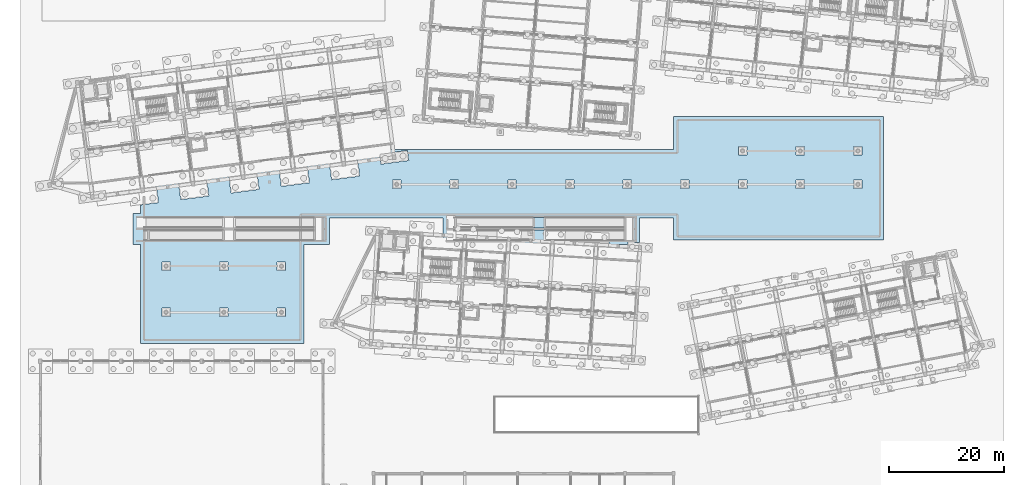
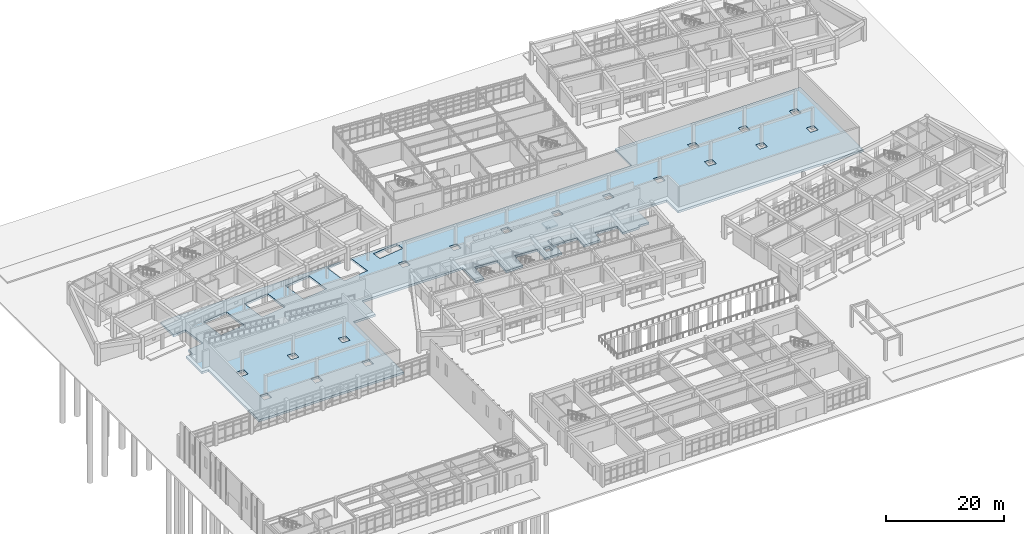
# One storey, part 109 of 154: 3 slabs, 2 elements without a shape of their own.
"""IFC4 building model written with IfcOpenShell, lengths in metres."""

import ifcopenshell
import ifcopenshell.guid

model = None  # the IFC model being written
_history = None  # IfcOwnerHistory: only IFC2X3 demands one
_inside = {}  # id of a spatial element -> (the spatial element, [elements in it])
_under = {}  # id of a project, library or spatial element -> (it, [spatial elements below it])
_declared = {}  # id of a project -> (the project, [libraries it declares])
_typed = {}  # id of a type object -> (the type object, [elements of that type])
_made_of = {}  # id of a material, layer set ... -> (it, [elements and type objects made of it])


def new_model(schema):
    """Start an empty IFC model of exactly this schema.

    Asked for "IFC4X3", IfcOpenShell would pick the latest addendum, in which some entities
    have other attributes; the version numbers below select the first issue.
    IFC2X3 requires an IfcOwnerHistory on every rooted entity: one is made here for all.
    """
    global model, _history
    if schema == "IFC4X3":
        model = ifcopenshell.file(schema_version=(4, 3, 0, 0))
    else:
        model = ifcopenshell.file(schema=schema)
    _inside.clear()
    _under.clear()
    _declared.clear()
    _typed.clear()
    _made_of.clear()
    _history = None
    if model.schema == "IFC2X3":
        org = make("IfcOrganization", Name="unknown")
        user = make(
            "IfcPersonAndOrganization",
            ThePerson=make("IfcPerson", FamilyName="unknown"),
            TheOrganization=org,
        )
        app = make(
            "IfcApplication",
            ApplicationDeveloper=org,
            Version="unknown",
            ApplicationFullName="unknown",
            ApplicationIdentifier="unknown",
        )
        _history = make(
            "IfcOwnerHistory",
            OwningUser=user,
            OwningApplication=app,
            ChangeAction="ADDED",
            CreationDate=0,
        )
    return model


def make(cls, **values):
    """One entity of the class cls with the attributes given. An attribute that is None is left unset."""
    return model.create_entity(
        cls, **{name: value for name, value in values.items() if value is not None}
    )


def rooted(cls, **values):
    """An entity with a GlobalId (a new one), such as an element, a storey or a relation."""
    return make(cls, GlobalId=ifcopenshell.guid.new(), OwnerHistory=_history, **values)


def si_unit(unit_type, name, prefix=None):
    """IfcSIUnit, for example si_unit("LENGTHUNIT", "METRE", prefix="MILLI")."""
    return make("IfcSIUnit", UnitType=unit_type, Prefix=prefix, Name=name)


def assignment(units):
    """IfcUnitAssignment: the units of a project."""
    return None if units is None else make("IfcUnitAssignment", Units=units)


def point(xyz):
    """IfcCartesianPoint."""
    return None if xyz is None else make("IfcCartesianPoint", Coordinates=xyz)


def direction(xyz):
    """IfcDirection."""
    return None if xyz is None else make("IfcDirection", DirectionRatios=xyz)


def frame(location, z_axis=None, x_axis=None):
    """IfcAxis2Placement3D, a coordinate frame: its origin and axes. An axis left out is left unset."""
    return make(
        "IfcAxis2Placement3D",
        Location=point(location),
        Axis=direction(z_axis),
        RefDirection=direction(x_axis),
    )


def origin():
    """The frame at (0, 0, 0) with its axes left unset."""
    return frame((0.0, 0.0, 0.0))


def place(relative_to, where):
    """IfcLocalPlacement: puts the frame where relative to a parent placement (None: the world)."""
    return make(
        "IfcLocalPlacement", PlacementRelTo=relative_to, RelativePlacement=where
    )


def context(
    kind, dimensions, precision=None, world=None, true_north=None, identifier=None
):
    """IfcGeometricRepresentationContext, for example the 3D "Model" context."""
    return make(
        "IfcGeometricRepresentationContext",
        ContextIdentifier=identifier,
        ContextType=kind,
        CoordinateSpaceDimension=dimensions,
        Precision=precision,
        WorldCoordinateSystem=world,
        TrueNorth=true_north,
    )


def subcontext(parent, identifier, kind, view, scale=None):
    """IfcGeometricRepresentationSubContext, for example "Body" below "Model"."""
    return make(
        "IfcGeometricRepresentationSubContext",
        ContextIdentifier=identifier,
        ContextType=kind,
        ParentContext=parent,
        TargetScale=scale,
        TargetView=view,
    )


def project(units=None, contexts=None):
    """IfcProject with its units and contexts."""
    return rooted(
        "IfcProject",
        Name="project",
        RepresentationContexts=contexts,
        UnitsInContext=assignment(units),
    )


def spatial(cls, under=None, at=None, **own):
    """A site, building, storey or space (cls), placed at a placement, below another one or the project."""
    s = rooted(cls, ObjectPlacement=at, **own)
    if under is not None:
        _under.setdefault(under.id(), (under, []))[1].append(s)
    return s


def polyline(points):
    """IfcPolyline through the points."""
    return make("IfcPolyline", Points=[point(p) for p in points])


def outline(outer, holes=None, kind="AREA"):
    """IfcArbitraryClosedProfileDef: a profile drawn as a closed curve; with holes, ...WithVoids."""
    if holes is None:
        return make("IfcArbitraryClosedProfileDef", ProfileType=kind, OuterCurve=outer)
    return make(
        "IfcArbitraryProfileDefWithVoids",
        ProfileType=kind,
        OuterCurve=outer,
        InnerCurves=holes,
    )


def extrude(swept, where, along, depth):
    """IfcExtrudedAreaSolid: the profile swept, set in the frame where, extruded along a direction by depth."""
    return make(
        "IfcExtrudedAreaSolid",
        SweptArea=swept,
        Position=where,
        ExtrudedDirection=direction(along),
        Depth=depth,
    )


def shape(context_of_items, identifier, shape_type, items):
    """IfcShapeRepresentation: the items that make up one representation, for example the "Body"."""
    return make(
        "IfcShapeRepresentation",
        ContextOfItems=context_of_items,
        RepresentationIdentifier=identifier,
        RepresentationType=shape_type,
        Items=items,
    )


def material(Name=None, Category=None):
    """IfcMaterial."""
    return make("IfcMaterial", Name=Name, Category=Category)


def layer(
    of_material, thickness, ventilated=None, Name=None, Category=None, Priority=None
):
    """IfcMaterialLayer: one layer of a wall or slab, of a material (None: an air gap)."""
    return make(
        "IfcMaterialLayer",
        Material=of_material,
        LayerThickness=thickness,
        IsVentilated=ventilated,
        Name=Name,
        Category=Category,
        Priority=Priority,
    )


def layer_set(layers, Name=None):
    """IfcMaterialLayerSet."""
    return make("IfcMaterialLayerSet", MaterialLayers=layers, LayerSetName=Name)


def made_of(thing, what):
    """Note that an element or type object is made of a material, layer set ...; save() writes the relation."""
    if what is not None:
        _made_of.setdefault(what.id(), (what, []))[1].append(thing)
    return thing


def type_object(cls, material=None, **own):
    """A type object (cls), such as IfcWallType, which elements share."""
    return made_of(rooted(cls, **own), material)


def element(
    cls,
    number,
    at=None,
    inside=None,
    cuts=None,
    type_object=None,
    material=None,
    context=None,
    identifier="Body",
    shape_type=None,
    held_by="IfcProductDefinitionShape",
    body=None,
    shapes=None,
    **own,
):
    """One element of the class cls, such as IfcWall. Its Tag is "e" and its number.

    at: its placement. inside: the storey or other place that contains it. cuts: it is an
    opening in that element (IfcRelVoidsElement). A single representation is given by context,
    identifier, shape_type and body (its items); several are given by shapes. held_by: the class
    of the entity that holds the representations. save() writes the other relations.
    """
    e = rooted(cls, Tag="e%d" % number, ObjectPlacement=at, **own)
    if body is not None:
        shapes = [shape(context, identifier, shape_type, body)]
    if shapes is not None:
        e.Representation = make(held_by, Representations=shapes)
    if inside is not None:
        _inside.setdefault(inside.id(), (inside, []))[1].append(e)
    if cuts is not None:
        rooted(
            "IfcRelVoidsElement", RelatingBuildingElement=cuts, RelatedOpeningElement=e
        )
    if type_object is not None:
        _typed.setdefault(type_object.id(), (type_object, []))[1].append(e)
    return made_of(e, material)


def aggregate(whole, parts):
    """IfcRelAggregates: a whole, such as a stair, and the parts it consists of."""
    return rooted("IfcRelAggregates", RelatingObject=whole, RelatedObjects=parts)


def save(model, path):
    """Write the relations noted so far, then the file.

    IfcRelAggregates (storeys below a building ...), IfcRelContainedInSpatialStructure (elements
    in a storey), IfcRelDefinesByType, IfcRelAssociatesMaterial and IfcRelDeclares: one each for
    every whole, place, type object, material and project.
    """
    for whole, parts in _under.values():
        aggregate(whole, parts)
    for where, things in _inside.values():
        rooted(
            "IfcRelContainedInSpatialStructure",
            RelatedElements=things,
            RelatingStructure=where,
        )
    for kind, things in _typed.values():
        rooted("IfcRelDefinesByType", RelatedObjects=things, RelatingType=kind)
    for what, things in _made_of.values():
        rooted("IfcRelAssociatesMaterial", RelatedObjects=things, RelatingMaterial=what)
    for by, libraries in _declared.values():
        rooted("IfcRelDeclares", RelatingContext=by, RelatedDefinitions=libraries)
    model.write(path)


model = new_model("IFC4")

# Units and contexts
model_context = context("Model", 3, precision=1e-05, world=origin(), true_north=direction((0.0, 1.0)))
body_context = subcontext(model_context, "Body", "Model", "MODEL_VIEW")
ifc_project = project(units=[si_unit("LENGTHUNIT", "METRE"), si_unit("AREAUNIT", "SQUARE_METRE"), si_unit("VOLUMEUNIT", "CUBIC_METRE"), si_unit("PLANEANGLEUNIT", "RADIAN"), si_unit("MASSUNIT", "GRAM", prefix="KILO")], contexts=[model_context])

# Site, building, storey
site_placement = place(None, origin())
site = spatial("IfcSite", under=ifc_project, at=site_placement, CompositionType="ELEMENT")
building_placement = place(site_placement, origin())
building = spatial("IfcBuilding", under=site, at=building_placement, Name="Kestramere Prow Commons", CompositionType="ELEMENT")
storey_placement = place(building_placement, origin())
storey = spatial("IfcBuildingStorey", under=building, at=storey_placement, Name="L00", CompositionType="ELEMENT", Elevation=0.0)

# Slab
ifc_material = material(Name="Concrete C35/45", Category="concrete")
ifc_layer_1 = layer(ifc_material, 0.449951171875)
ifc_layer_set_1 = layer_set([ifc_layer_1], Name="Concrete C35/45")
slab_type_1 = type_object("IfcSlabType", Name="SL-RAFT-450", PredefinedType="BASESLAB", material=ifc_layer_set_1)
slab_1_placement = place(storey_placement, frame((0.0, 0.0, -0.800048828125)))
element("IfcSlab", 1, at=slab_1_placement, inside=storey, type_object=slab_type_1, Name="Hillside Courtyard and Ramp Structural Raft Slab 1", PredefinedType="BASESLAB", context=body_context, shape_type="SweptSolid", body=[
    extrude(outline(polyline([(18.25, 63.75), (18.25, 69.14990234375), (19.550048828125, 69.14990234375), (19.550048828125, 70.6181640625), (22.684814453125, 71.03076171875), (22.04248046875, 75.90869140625), (19.550048828125, 75.58056640625), (19.550048828125, 79.998291015625), (21.461669921875, 80.25), (55.018310546875, 80.25), (52.0634765625, 79.861083984375), (52.705810546875, 74.983154296875), (57.58349609375, 75.625244140625), (56.974853515625, 80.25), (112.050048828125, 80.25), (112.050048828125, 85.949951171875), (148.449951171875, 85.949951171875), (148.449951171875, 64.550048828125), (112.050048828125, 64.550048828125), (112.050048828125, 68.35009765625), (106.14990234375, 68.35009765625), (106.14990234375, 64.094970703125), (104.10498046875, 64.219970703125), (104.076171875, 63.75), (100.7900390625, 63.75), (100.91357421875, 65.767578125), (96.6015625, 66.031494140625), (96.4619140625, 63.75), (93.17578125, 63.75), (93.32763671875, 66.231689453125), (89.015625, 66.495361328125), (88.847900390625, 63.75), (85.561767578125, 63.75), (85.741943359375, 66.695556640625), (81.429931640625, 66.95947265625), (81.233642578125, 63.75), (77.947509765625, 63.75), (78.156005859375, 67.15966796875), (73.843994140625, 67.42333984375), (73.619384765625, 63.75), (72.050048828125, 63.75), (72.050048828125, 68.35009765625), (52.35009765625, 68.35009765625), (52.35009765625, 63.75), (47.949951171875, 63.75), (47.949951171875, 46.550048828125), (19.550048828125, 46.550048828125), (19.550048828125, 63.75), (18.25, 63.75)]), holes=[polyline([(44.735107421875, 52.735107421875), (43.264892578125, 52.735107421875), (43.264892578125, 51.264892578125), (44.735107421875, 51.264892578125), (44.735107421875, 52.735107421875)]), polyline([(34.735107421875, 51.264892578125), (34.735107421875, 52.735107421875), (33.264892578125, 52.735107421875), (33.264892578125, 51.264892578125), (34.735107421875, 51.264892578125)]), polyline([(24.735107421875, 51.264892578125), (24.735107421875, 52.735107421875), (23.264892578125, 52.735107421875), (23.264892578125, 51.264892578125), (24.735107421875, 51.264892578125)]), polyline([(44.735107421875, 59.264892578125), (44.735107421875, 60.735107421875), (43.264892578125, 60.735107421875), (43.264892578125, 59.264892578125), (44.735107421875, 59.264892578125)]), polyline([(24.735107421875, 59.264892578125), (24.735107421875, 60.735107421875), (23.264892578125, 60.735107421875), (23.264892578125, 59.264892578125), (24.735107421875, 59.264892578125)]), polyline([(34.735107421875, 59.264892578125), (34.735107421875, 60.735107421875), (33.264892578125, 60.735107421875), (33.264892578125, 59.264892578125), (34.735107421875, 59.264892578125)]), polyline([(31.409423828125, 72.179443359375), (30.767333984375, 77.057373046875), (25.889404296875, 76.4150390625), (26.531494140625, 71.537109375), (31.409423828125, 72.179443359375)]), polyline([(40.13427734375, 73.327880859375), (39.491943359375, 78.205810546875), (34.614013671875, 77.563720703125), (35.25634765625, 72.685791015625), (40.13427734375, 73.327880859375)]), polyline([(64.735107421875, 73.465087890625), (64.735107421875, 74.93505859375), (63.264892578125, 74.93505859375), (63.264892578125, 73.465087890625), (64.735107421875, 73.465087890625)]), polyline([(74.735107421875, 74.93505859375), (73.264892578125, 74.93505859375), (73.264892578125, 73.465087890625), (74.735107421875, 73.465087890625), (74.735107421875, 74.93505859375)]), polyline([(48.85888671875, 74.476806640625), (48.216796875, 79.3544921875), (43.3388671875, 78.71240234375), (43.98095703125, 73.83447265625), (48.85888671875, 74.476806640625)]), polyline([(66.102783203125, 78.33544921875), (65.87158203125, 80.09033203125), (60.993896484375, 79.447998046875), (61.224853515625, 77.693359375), (66.102783203125, 78.33544921875)]), polyline([(87.9423828125, 66.447021484375), (86.722412109375, 66.447021484375), (86.722412109375, 65.226806640625), (87.9423828125, 65.226806640625), (87.9423828125, 66.447021484375)]), polyline([(94.735107421875, 73.465087890625), (94.735107421875, 74.93505859375), (93.264892578125, 74.93505859375), (93.264892578125, 73.465087890625), (94.735107421875, 73.465087890625)]), polyline([(84.735107421875, 73.465087890625), (84.735107421875, 74.93505859375), (83.264892578125, 74.93505859375), (83.264892578125, 73.465087890625), (84.735107421875, 73.465087890625)]), polyline([(114.735107421875, 73.465087890625), (114.735107421875, 74.93505859375), (113.264892578125, 74.93505859375), (113.264892578125, 73.465087890625), (114.735107421875, 73.465087890625)]), polyline([(104.735107421875, 73.465087890625), (104.735107421875, 74.93505859375), (103.264892578125, 74.93505859375), (103.264892578125, 73.465087890625), (104.735107421875, 73.465087890625)]), polyline([(124.735107421875, 73.465087890625), (124.735107421875, 74.93505859375), (123.264892578125, 74.93505859375), (123.264892578125, 73.465087890625), (124.735107421875, 73.465087890625)]), polyline([(124.735107421875, 79.264892578125), (124.735107421875, 80.735107421875), (123.264892578125, 80.735107421875), (123.264892578125, 79.264892578125), (124.735107421875, 79.264892578125)]), polyline([(144.735107421875, 73.465087890625), (144.735107421875, 74.93505859375), (143.264892578125, 74.93505859375), (143.264892578125, 73.465087890625), (144.735107421875, 73.465087890625)]), polyline([(134.735107421875, 73.465087890625), (134.735107421875, 74.93505859375), (133.264892578125, 74.93505859375), (133.264892578125, 73.465087890625), (134.735107421875, 73.465087890625)]), polyline([(144.735107421875, 79.264892578125), (144.735107421875, 80.735107421875), (143.264892578125, 80.735107421875), (143.264892578125, 79.264892578125), (144.735107421875, 79.264892578125)]), polyline([(134.735107421875, 79.264892578125), (134.735107421875, 80.735107421875), (133.264892578125, 80.735107421875), (133.264892578125, 79.264892578125), (134.735107421875, 79.264892578125)])]), origin(), (0.0, 0.0, 1.0), 0.449951171875),
])

# Ramp, slab
ramp_type = type_object("IfcRampType", Name="RMP-ACC-1800", PredefinedType="STRAIGHT_RUN_RAMP", material=ifc_material)
ramp_1_placement = place(storey_placement, origin())
ramp_1 = element("IfcRamp", 2, at=ramp_1_placement, inside=storey, type_object=ramp_type, Name="Central Hillside Lower Accessible Ramp", PredefinedType="STRAIGHT_RUN_RAMP")
ifc_layer_2 = layer(ifc_material, 0.300048828125)
ifc_layer_set_2 = layer_set([ifc_layer_2], Name="Concrete C35/45")
slab_type_2 = type_object("IfcSlabType", Name="SL-RMP-LAND-300", PredefinedType="LANDING", material=ifc_layer_set_2)
slab_2_placement = place(storey_placement, frame((0.0, 0.0, 0.824951171875)))
slab_2 = element("IfcSlab", 3, at=slab_2_placement, type_object=slab_type_2, Name="Central Hillside Lower Accessible Ramp Intermediate Landing", PredefinedType="LANDING", context=body_context, shape_type="SweptSolid", body=[
    extrude(outline(polyline([(87.60009765625, 64.429931640625), (89.800048828125, 64.429931640625), (89.800048828125, 66.27001953125), (87.60009765625, 66.27001953125), (87.60009765625, 64.429931640625)])), origin(), (0.0, 0.0, 1.0), 0.300048828125),
])
aggregate(ramp_1, [slab_2])

ramp_2_placement = place(storey_placement, origin())
ramp_2 = element("IfcRamp", 4, at=ramp_2_placement, inside=storey, type_object=ramp_type, Name="Central Hillside Upper Accessible Ramp", PredefinedType="STRAIGHT_RUN_RAMP")
slab_3_placement = place(storey_placement, frame((0.0, 0.0, 3.074951171875)))
slab_3 = element("IfcSlab", 5, at=slab_3_placement, type_object=slab_type_2, Name="Central Hillside Upper Accessible Ramp Intermediate Landing", PredefinedType="LANDING", context=body_context, shape_type="SweptSolid", body=[
    extrude(outline(polyline([(87.60009765625, 66.6298828125), (89.800048828125, 66.6298828125), (89.800048828125, 68.469970703125), (87.60009765625, 68.469970703125), (87.60009765625, 66.6298828125)])), origin(), (0.0, 0.0, 1.0), 0.300048828125),
])
aggregate(ramp_2, [slab_3])

save(model, "model.ifc")
